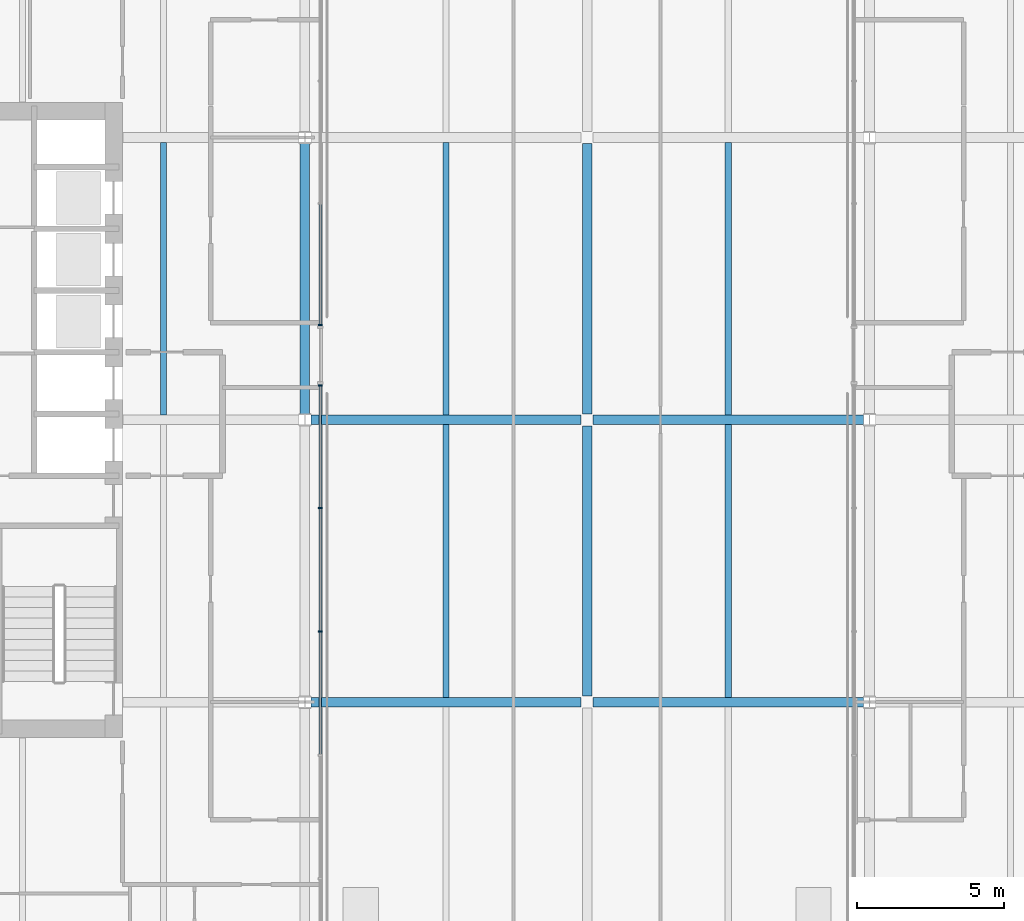
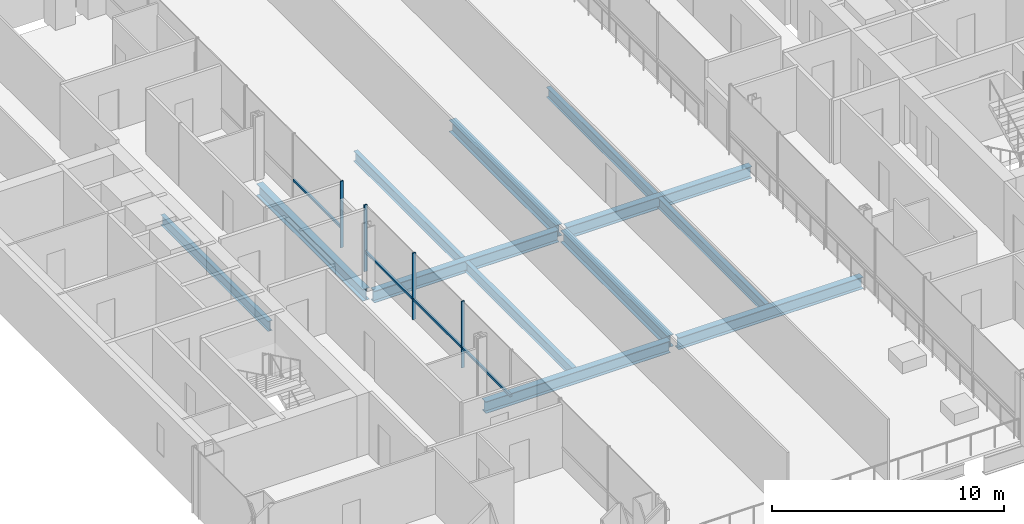
# One storey, part 4 of 24: 12 beams, 8 members, 2 elements without a shape of their own.
"""IFC4 building model written with IfcOpenShell, lengths in metres."""

from ifc_helpers import new_model, si_unit, direction, frame, origin, origin_2d, place, context, subcontext, project, spatial, rectangle, i_section, extrude, material, material_profile, profile_set, type_object, element, aggregate, save


model = new_model("IFC4")

# Units and contexts
model_context = context("Model", 3, precision=1e-05, world=origin(), true_north=direction((0.0, 1.0)))
body_context = subcontext(model_context, "Body", "Model", "MODEL_VIEW")
ifc_project = project(units=[si_unit("LENGTHUNIT", "METRE"), si_unit("AREAUNIT", "SQUARE_METRE"), si_unit("VOLUMEUNIT", "CUBIC_METRE"), si_unit("PLANEANGLEUNIT", "RADIAN"), si_unit("MASSUNIT", "GRAM", prefix="KILO")], contexts=[model_context])

# Site, building, storey
site_placement = place(None, origin())
site = spatial("IfcSite", under=ifc_project, at=site_placement, CompositionType="ELEMENT")
building_placement = place(site_placement, origin())
building = spatial("IfcBuilding", under=site, at=building_placement, Name="Cobrizo Arcos Hotel Tower", CompositionType="ELEMENT")
storey_placement = place(building_placement, frame((0.0, 0.0, 60.0)))
storey = spatial("IfcBuildingStorey", under=building, at=storey_placement, Name="L13", CompositionType="ELEMENT", Elevation=60.0)

# Curtain wall, member
ifc_material_1 = material(Name="Aluminium 6063-T6 anodised bronze", Category="aluminium")
curtain_wall_type = type_object("IfcCurtainWallType", Name="CW-F void screen", PredefinedType="NOTDEFINED", material=ifc_material_1)
curtain_wall_1_placement = place(storey_placement, origin())
curtain_wall_1 = element("IfcCurtainWall", 1, at=curtain_wall_1_placement, inside=storey, type_object=curtain_wall_type, Name="CW-F L13 void screen A", PredefinedType="NOTDEFINED")
ifc_material_profile_1 = material_profile(ifc_material_1, rectangle(XDim=0.14990234375, YDim=0.06005859375, at=origin_2d()), Name="CW-F mullion 150x60")
ifc_profile_set_1 = profile_set([ifc_material_profile_1], Name="Aluminium 6063-T6 anodised bronze")
member_type_1 = type_object("IfcMemberType", Name="CW-F mullion 150x60", PredefinedType="MULLION", material=ifc_profile_set_1)
member_1_placement = place(storey_placement, frame((-9.074951171875, 3.22998046875, 0.0), z_axis=(0.0, 0.0, 1.0), x_axis=(-1.0, 0.0, 0.0)))
member_1 = element("IfcMember", 2, at=member_1_placement, type_object=member_type_1, Name="CW-F mullion 6", PredefinedType="MULLION", context=body_context, shape_type="SweptSolid", body=[
    extrude(rectangle(XDim=0.14990234375, YDim=0.06005859375, at=origin_2d()), origin(), (0.0, 0.0, 1.0), 3.5),
])

# Curtain wall, members
curtain_wall_2_placement = place(storey_placement, origin())
curtain_wall_2 = element("IfcCurtainWall", 3, at=curtain_wall_2_placement, inside=storey, type_object=curtain_wall_type, Name="CW-F L13 void screen A", PredefinedType="NOTDEFINED")
member_2_placement = place(storey_placement, frame((-9.074951171875, 1.169921875, 0.0), z_axis=(0.0, 0.0, 1.0), x_axis=(-1.0, 0.0, 0.0)))
member_2 = element("IfcMember", 4, at=member_2_placement, type_object=member_type_1, Name="CW-F mullion 1", PredefinedType="MULLION", context=body_context, shape_type="SweptSolid", body=[
    extrude(rectangle(XDim=0.14990234375, YDim=0.06005859375, at=origin_2d()), origin(), (0.0, 0.0, 1.0), 3.5),
])
member_3_placement = place(storey_placement, frame((-9.074951171875, -3.0, 0.0), z_axis=(0.0, 0.0, 1.0), x_axis=(-1.0, 0.0, 0.0)))
member_3 = element("IfcMember", 5, at=member_3_placement, type_object=member_type_1, Name="CW-F mullion 2", PredefinedType="MULLION", context=body_context, shape_type="SweptSolid", body=[
    extrude(rectangle(XDim=0.14990234375, YDim=0.06005859375, at=origin_2d()), origin(), (0.0, 0.0, 1.0), 3.5),
])
member_4_placement = place(storey_placement, frame((-9.074951171875, -7.199951171875, 0.0), z_axis=(0.0, 0.0, 1.0), x_axis=(-1.0, 0.0, 0.0)))
member_4 = element("IfcMember", 6, at=member_4_placement, type_object=member_type_1, Name="CW-F mullion 3", PredefinedType="MULLION", context=body_context, shape_type="SweptSolid", body=[
    extrude(rectangle(XDim=0.14990234375, YDim=0.06005859375, at=origin_2d()), origin(), (0.0, 0.0, 1.0), 3.5),
])

# Member
ifc_material_profile_2 = material_profile(ifc_material_1, rectangle(XDim=0.10009765625, YDim=0.1201171875, at=origin_2d()), Name="CW-F transom 120x100")
ifc_profile_set_2 = profile_set([ifc_material_profile_2], Name="Aluminium 6063-T6 anodised bronze")
member_type_2 = type_object("IfcMemberType", Name="CW-F transom 120x100", PredefinedType="USERDEFINED", material=ifc_profile_set_2)
member_5_placement = place(storey_placement, frame((-9.074951171875, 7.330078125, 1.050048828125), z_axis=(0.0, -1.0, 0.0), x_axis=(1.0, 0.0, 0.0)))
member_5 = element("IfcMember", 7, at=member_5_placement, type_object=member_type_2, Name="CW-F transom 2441", ObjectType="TRANSOM", PredefinedType="USERDEFINED", context=body_context, shape_type="SweptSolid", body=[
    extrude(rectangle(XDim=0.10009765625, YDim=0.1201171875, at=origin_2d()), origin(), (0.0, 0.0, 1.0), 4.070068359375),
])

aggregate(curtain_wall_1, [member_1, member_5])

member_6_placement = place(storey_placement, frame((-9.074951171875, 1.139892578125, 1.050048828125), z_axis=(0.0, -1.0, 0.0), x_axis=(1.0, 0.0, 0.0)))
member_6 = element("IfcMember", 8, at=member_6_placement, type_object=member_type_2, Name="CW-F transom 2442", ObjectType="TRANSOM", PredefinedType="USERDEFINED", context=body_context, shape_type="SweptSolid", body=[
    extrude(rectangle(XDim=0.10009765625, YDim=0.1201171875, at=origin_2d()), origin(), (0.0, 0.0, 1.0), 4.10986328125),
])

member_7_placement = place(storey_placement, frame((-9.074951171875, -3.030029296875, 1.050048828125), z_axis=(0.0, -1.0, 0.0), x_axis=(1.0, 0.0, 0.0)))
member_7 = element("IfcMember", 9, at=member_7_placement, type_object=member_type_2, Name="CW-F transom 2443", ObjectType="TRANSOM", PredefinedType="USERDEFINED", context=body_context, shape_type="SweptSolid", body=[
    extrude(rectangle(XDim=0.10009765625, YDim=0.1201171875, at=origin_2d()), origin(), (0.0, 0.0, 1.0), 4.139892578125),
])

member_8_placement = place(storey_placement, frame((-9.074951171875, -7.22998046875, 1.050048828125), z_axis=(0.0, -1.0, 0.0), x_axis=(1.0, 0.0, 0.0)))
member_8 = element("IfcMember", 10, at=member_8_placement, type_object=member_type_2, Name="CW-F transom 2444", ObjectType="TRANSOM", PredefinedType="USERDEFINED", context=body_context, shape_type="SweptSolid", body=[
    extrude(rectangle(XDim=0.10009765625, YDim=0.1201171875, at=origin_2d()), origin(), (0.0, 0.0, 1.0), 4.14013671875),
])

aggregate(curtain_wall_2, [member_2, member_3, member_4, member_6, member_7, member_8])

# Beams
ifc_material_2 = material(Name="Steel ASTM A992 Grade 50", Category="steel")
ifc_material_profile_3 = material_profile(ifc_material_2, i_section(OverallWidth=0.209228515625, OverallDepth=0.533447265625, WebThickness=0.01025390625, FlangeThickness=0.015625, at=origin_2d()), Name="W21X62")
ifc_profile_set_3 = profile_set([ifc_material_profile_3], Name="Steel ASTM A992 Grade 50")
beam_type_1 = type_object("IfcBeamType", Name="W21X62 joist", PredefinedType="JOIST", material=ifc_profile_set_3)
for number, where, z_axis, x_axis, name in (
    (11, (-14.39990234375, 0.163818359375, -0.416748046875), (0.0, 1.0, 0.0), (-1.0, 0.0, 0.0), "Floor joist J1, L13, no. 005"),
    (12, (-4.800048828125, -9.43603515625, -0.416748046875), (0.0, 1.0, 0.0), (-1.0, 0.0, 0.0), "Floor joist J1, L13, no. 008"),
    (13, (-4.800048828125, 0.163818359375, -0.416748046875), (0.0, 1.0, 0.0), (-1.0, 0.0, 0.0), "Floor joist J1, L13, no. 009"),
    (14, (4.800048828125, -9.43603515625, -0.416748046875), (0.0, 1.0, 0.0), (-1.0, 0.0, 0.0), "Floor joist J1, L13, no. 012"),
    (15, (4.800048828125, 0.163818359375, -0.416748046875), (0.0, 1.0, 0.0), (-1.0, 0.0, 0.0), "Floor joist J1, L13, no. 013"),
):
    element("IfcBeam", number, at=place(storey_placement, frame(where, z_axis=z_axis, x_axis=x_axis)), inside=storey, type_object=beam_type_1, Name=name, PredefinedType="JOIST", context=body_context, shape_type="SweptSolid", body=[
        extrude(i_section(OverallWidth=0.209228515625, OverallDepth=0.533447265625, WebThickness=0.01025390625, FlangeThickness=0.015625, at=origin_2d()), origin(), (0.0, 0.0, 1.0), 9.272216796875),
    ])
ifc_material_profile_4 = material_profile(ifc_material_2, i_section(OverallWidth=0.32763671875, OverallDepth=0.622314453125, WebThickness=0.015380859375, FlangeThickness=0.0244140625, at=origin_2d()), Name="W24X131")
ifc_profile_set_4 = profile_set([ifc_material_profile_4], Name="Steel ASTM A992 Grade 50")
beam_type_2 = type_object("IfcBeamType", Name="W24X131 girder", PredefinedType="BEAM", material=ifc_profile_set_4)
for number, where, z_axis, x_axis, name in (
    (16, (-9.3955078125, -9.60009765625, -0.461181640625), (1.0, 0.0, 0.0), (0.0, 1.0, 0.0), "Floor girder G1, L13, no. 002"),
    (17, (0.204345703125, -9.60009765625, -0.461181640625), (1.0, 0.0, 0.0), (0.0, 1.0, 0.0), "Floor girder G1, L13, no. 003"),
    (18, (-9.3955078125, 0.0, -0.461181640625), (1.0, 0.0, 0.0), (0.0, 1.0, 0.0), "Floor girder G1, L13, no. 006"),
    (19, (0.204345703125, 0.0, -0.461181640625), (1.0, 0.0, 0.0), (0.0, 1.0, 0.0), "Floor girder G1, L13, no. 007"),
    (20, (-9.60009765625, 0.204345703125, -0.461181640625), (0.0, 1.0, 0.0), (-1.0, 0.0, 0.0), "Floor girder G1, L13, no. 015"),
    (21, (0.0, -9.3955078125, -0.461181640625), (0.0, 1.0, 0.0), (-1.0, 0.0, 0.0), "Floor girder G1, L13, no. 018"),
    (22, (0.0, 0.204345703125, -0.461181640625), (0.0, 1.0, 0.0), (-1.0, 0.0, 0.0), "Floor girder G1, L13, no. 019"),
):
    element("IfcBeam", number, at=place(storey_placement, frame(where, z_axis=z_axis, x_axis=x_axis)), inside=storey, type_object=beam_type_2, Name=name, PredefinedType="BEAM", context=body_context, shape_type="SweptSolid", body=[
        extrude(i_section(OverallWidth=0.32763671875, OverallDepth=0.622314453125, WebThickness=0.015380859375, FlangeThickness=0.0244140625, at=origin_2d()), origin(), (0.0, 0.0, 1.0), 9.191162109375),
    ])

save(model, "model.ifc")
